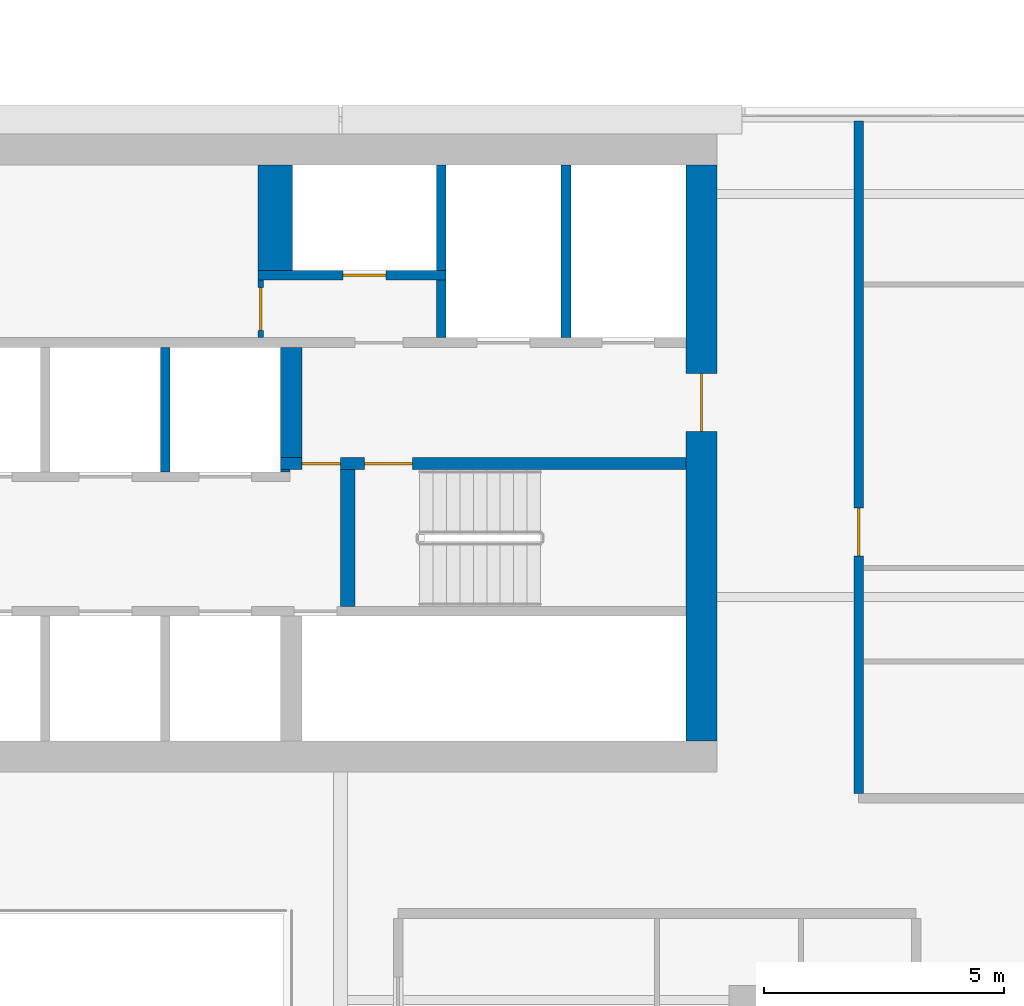
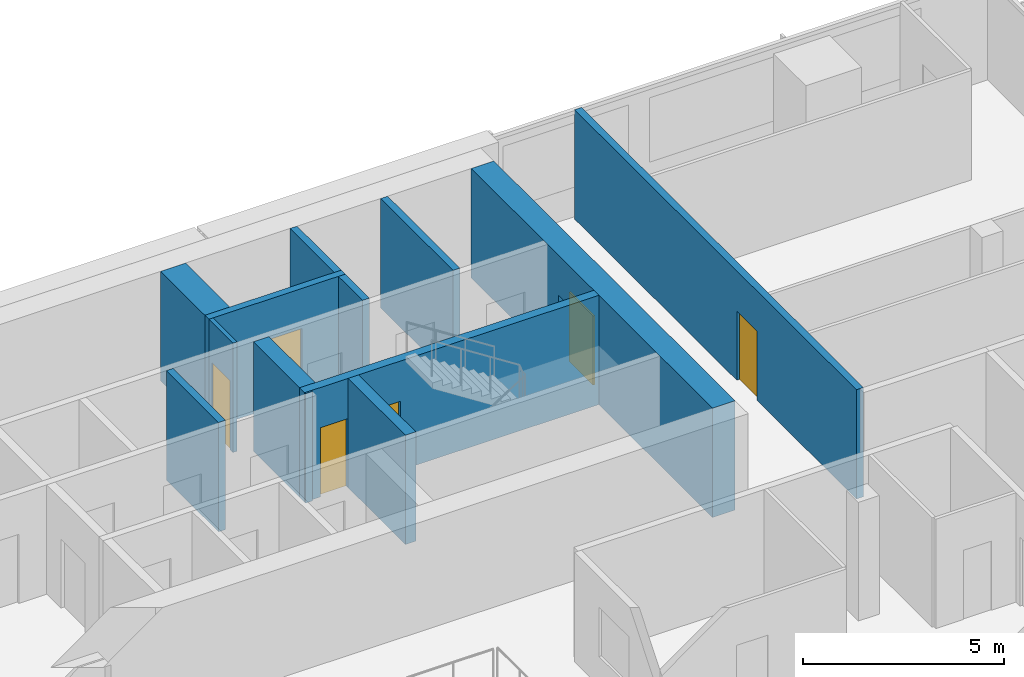
# One storey, part 23 of 30: 13 walls, 6 doors, 6 openings.
"""IFC4 building model written with IfcOpenShell, lengths in metres."""

from ifc_helpers import new_model, si_unit, direction, frame, frame_2d, origin, place, context, subcontext, project, spatial, rectangle, extrude, material, layer, layer_set, type_object, element, fill, save


model = new_model("IFC4")

# Units and contexts
model_context = context("Model", 3, precision=1e-05, world=origin(), true_north=direction((0.0, 1.0)))
body_context = subcontext(model_context, "Body", "Model", "MODEL_VIEW")
ifc_project = project(units=[si_unit("LENGTHUNIT", "METRE"), si_unit("AREAUNIT", "SQUARE_METRE"), si_unit("VOLUMEUNIT", "CUBIC_METRE"), si_unit("PLANEANGLEUNIT", "RADIAN"), si_unit("MASSUNIT", "GRAM", prefix="KILO")], contexts=[model_context])

# Site, building, storey
site_placement = place(None, origin())
site = spatial("IfcSite", under=ifc_project, at=site_placement, CompositionType="ELEMENT")
building_placement = place(site_placement, origin())
building = spatial("IfcBuilding", under=site, at=building_placement, Name="Saffron Gate Tower", CompositionType="ELEMENT")
storey_placement = place(building_placement, frame((0.0, 0.0, 237.89990234375)))
storey = spatial("IfcBuildingStorey", under=building, at=storey_placement, Name="L58", CompositionType="ELEMENT", Elevation=237.89990234375)

# Wall, openings, doors
ifc_material_1 = material(Name="Concrete C60", Category="concrete")
ifc_layer_1 = layer(ifc_material_1, 0.25)
ifc_layer_set_1 = layer_set([ifc_layer_1], Name="CW14 RC core wall 250 C60")
wall_type_1 = type_object("IfcWallType", Name="CW14 RC core wall 250 C60", PredefinedType="SOLIDWALL", material=ifc_layer_set_1)
wall_1_placement = place(storey_placement, frame((98.949951171875, 68.175048828125, 0.0), z_axis=(0.0, 0.0, 1.0), x_axis=(1.0, 0.0, 0.0)))
wall_1 = element("IfcWall", 1, at=wall_1_placement, inside=storey, type_object=wall_type_1, Name="Wall CW14-L58-30", PredefinedType="SOLIDWALL", context=body_context, shape_type="SweptSolid", body=[
    extrude(rectangle(XDim=8.449951171875, YDim=0.25, at=frame_2d((4.22509765625, 0.0))), origin(), (0.0, 0.0, 1.0), 3.320068359375),
])
opening_1_placement = place(wall_1_placement, frame((0.449951171875, 0.0, 0.0)))
opening_1 = element("IfcOpeningElement", 2, at=opening_1_placement, cuts=wall_1, Name="Opening CR-05", PredefinedType="OPENING", context=body_context, shape_type="SweptSolid", body=[
    extrude(rectangle(XDim=0.800048828125, YDim=2.10009765625, at=frame_2d((0.39990234375, 1.050048828125))), frame((0.0, 0.135009765625, 0.0), z_axis=(0.0, -1.0, 0.0), x_axis=(1.0, 0.0, 0.0)), (0.0, 0.0, 1.0), 0.27001953125),
])
opening_2_placement = place(wall_1_placement, frame((1.75, 0.0, 0.0)))
opening_2 = element("IfcOpeningElement", 3, at=opening_2_placement, cuts=wall_1, Name="Opening CR-16", PredefinedType="OPENING", context=body_context, shape_type="SweptSolid", body=[
    extrude(rectangle(XDim=1.0, YDim=2.10009765625, at=frame_2d((0.5, 1.050048828125))), frame((0.0, 0.135009765625, 0.0), z_axis=(0.0, -1.0, 0.0), x_axis=(1.0, 0.0, 0.0)), (0.0, 0.0, 1.0), 0.27001953125),
])
ifc_material_2 = material(Name="Steel fire door set", Category="steel")
door_type_1 = type_object("IfcDoorType", Name="CD5 Stair door 1000x2100 EI 120", OperationType="NOTDEFINED", PredefinedType="DOOR", material=ifc_material_2)
door_1_placement = place(opening_2_placement, origin())
door_1 = element("IfcDoor", 4, at=door_1_placement, inside=storey, type_object=door_type_1, Name="DOOR CR-16", OperationType="SINGLE_SWING_RIGHT", OverallHeight=2.10009765625, OverallWidth=1.0, PredefinedType="DOOR", context=body_context, shape_type="SweptSolid", body=[
    extrude(rectangle(XDim=1.0, YDim=2.10009765625, at=frame_2d((0.5, 1.050048828125))), frame((0.0, 0.02490234375, 0.0), z_axis=(0.0, -1.0, 0.0), x_axis=(1.0, 0.0, 0.0)), (0.0, 0.0, 1.0), 0.050048828125),
])
fill(opening_2, door_1)
door_type_2 = type_object("IfcDoorType", Name="CD6 Lobby door 800x2100 EI 120", OperationType="NOTDEFINED", PredefinedType="DOOR", material=ifc_material_2)
door_2_placement = place(opening_1_placement, origin())
door_2 = element("IfcDoor", 5, at=door_2_placement, inside=storey, type_object=door_type_2, Name="DOOR CR-05", OperationType="SINGLE_SWING_LEFT", OverallHeight=2.10009765625, OverallWidth=0.800048828125, PredefinedType="DOOR", context=body_context, shape_type="SweptSolid", body=[
    extrude(rectangle(XDim=0.800048828125, YDim=2.10009765625, at=frame_2d((0.39990234375, 1.050048828125))), frame((0.0, 0.02490234375, 0.0), z_axis=(0.0, -1.0, 0.0), x_axis=(1.0, 0.0, 0.0)), (0.0, 0.0, 1.0), 0.050048828125),
])
fill(opening_1, door_2)

# Walls
ifc_layer_2 = layer(ifc_material_1, 0.199951171875)
ifc_layer_set_2 = layer_set([ifc_layer_2], Name="CW15 RC core wall 200 C60")
wall_type_2 = type_object("IfcWallType", Name="CW15 RC core wall 200 C60", PredefinedType="SOLIDWALL", material=ifc_layer_set_2)
wall_2_placement = place(storey_placement, frame((96.550048828125, 68.0, 0.0), z_axis=(0.0, 0.0, 1.0), x_axis=(0.0, 1.0, 0.0)))
element("IfcWall", 6, at=wall_2_placement, inside=storey, type_object=wall_type_2, Name="Wall CW15-L58-27", PredefinedType="SOLIDWALL", context=body_context, shape_type="SweptSolid", body=[
    extrude(rectangle(XDim=2.60009765625, YDim=0.199951171875, at=frame_2d((1.300048828125, 0.0))), origin(), (0.0, 0.0, 1.0), 3.320068359375),
])
wall_3_placement = place(storey_placement, frame((102.300048828125, 70.800048828125, 0.0), z_axis=(0.0, 0.0, 1.0), x_axis=(0.0, 1.0, 0.0)))
element("IfcWall", 7, at=wall_3_placement, inside=storey, type_object=wall_type_2, Name="Wall CW15-L58-40", PredefinedType="SOLIDWALL", context=body_context, shape_type="SweptSolid", body=[
    extrude(rectangle(XDim=1.199951171875, YDim=0.199951171875, at=frame_2d((0.60009765625, 0.0))), origin(), (0.0, 0.0, 1.0), 3.320068359375),
])
wall_4_placement = place(storey_placement, frame((104.89990234375, 70.800048828125, 0.0), z_axis=(0.0, 0.0, 1.0), x_axis=(0.0, 1.0, 0.0)))
element("IfcWall", 8, at=wall_4_placement, inside=storey, type_object=wall_type_2, Name="Wall CW15-L58-41", PredefinedType="SOLIDWALL", context=body_context, shape_type="SweptSolid", body=[
    extrude(rectangle(XDim=3.599853515625, YDim=0.199951171875, at=frame_2d((1.7998046875, 0.0))), origin(), (0.0, 0.0, 1.0), 3.320068359375),
])

# Wall, opening, door
wall_5_placement = place(storey_placement, frame((98.47998046875, 72.10009765625, 0.0), z_axis=(0.0, 0.0, 1.0), x_axis=(1.0, 0.0, 0.0)))
wall_5 = element("IfcWall", 9, at=wall_5_placement, inside=storey, type_object=wall_type_2, Name="Wall CW15-L58-43", PredefinedType="SOLIDWALL", context=body_context, shape_type="SweptSolid", body=[
    extrude(rectangle(XDim=3.919921875, YDim=0.199951171875, at=frame_2d((1.9599609375, 0.0))), origin(), (0.0, 0.0, 1.0), 3.320068359375),
])
opening_3_placement = place(wall_5_placement, frame((1.77001953125, 0.0, 0.0)))
opening_3 = element("IfcOpeningElement", 10, at=opening_3_placement, cuts=wall_5, Name="Opening CR-70", PredefinedType="OPENING", context=body_context, shape_type="SweptSolid", body=[
    extrude(rectangle(XDim=0.89990234375, YDim=2.10009765625, at=frame_2d((0.449951171875, 1.050048828125))), frame((0.0, 0.10986328125, 0.0), z_axis=(0.0, -1.0, 0.0), x_axis=(1.0, 0.0, 0.0)), (0.0, 0.0, 1.0), 0.219970703125),
])
door_type_3 = type_object("IfcDoorType", Name="CD2 Riser door 900x2100 EI 60", OperationType="NOTDEFINED", PredefinedType="DOOR", material=ifc_material_2)
door_3_placement = place(opening_3_placement, origin())
door_3 = element("IfcDoor", 11, at=door_3_placement, inside=storey, type_object=door_type_3, Name="DOOR CR-70", OperationType="SINGLE_SWING_LEFT", OverallHeight=2.10009765625, OverallWidth=0.89990234375, PredefinedType="DOOR", context=body_context, shape_type="SweptSolid", body=[
    extrude(rectangle(XDim=0.89990234375, YDim=2.10009765625, at=frame_2d((0.449951171875, 1.050048828125))), frame((0.0, 0.02490234375, 0.0), z_axis=(0.0, -1.0, 0.0), x_axis=(1.0, 0.0, 0.0)), (0.0, 0.0, 1.0), 0.050048828125),
])
fill(opening_3, door_3)

# Walls
wall_6_placement = place(storey_placement, frame((102.300048828125, 72.199951171875, 0.0), z_axis=(0.0, 0.0, 1.0), x_axis=(0.0, 1.0, 0.0)))
element("IfcWall", 12, at=wall_6_placement, inside=storey, type_object=wall_type_2, Name="Wall CW15-L58-48", PredefinedType="SOLIDWALL", context=body_context, shape_type="SweptSolid", body=[
    extrude(rectangle(XDim=2.199951171875, YDim=0.199951171875, at=frame_2d((1.10009765625, 0.0))), origin(), (0.0, 0.0, 1.0), 3.320068359375),
])
ifc_layer_3 = layer(ifc_material_1, 0.449951171875)
ifc_layer_set_3 = layer_set([ifc_layer_3], Name="CW16 RC core wall 450 C60")
wall_type_3 = type_object("IfcWallType", Name="CW16 RC core wall 450 C60", PredefinedType="SOLIDWALL", material=ifc_layer_set_3)
wall_7_placement = place(storey_placement, frame((99.175048828125, 68.300048828125, 0.0), z_axis=(0.0, 0.0, 1.0), x_axis=(0.0, 1.0, 0.0)))
element("IfcWall", 13, at=wall_7_placement, inside=storey, type_object=wall_type_3, Name="Wall CW16-L58-32", PredefinedType="SOLIDWALL", context=body_context, shape_type="SweptSolid", body=[
    extrude(rectangle(XDim=2.300048828125, YDim=0.449951171875, at=frame_2d((1.14990234375, 0.0))), origin(), (0.0, 0.0, 1.0), 3.320068359375),
])
ifc_layer_4 = layer(ifc_material_1, 0.300048828125)
ifc_layer_set_4 = layer_set([ifc_layer_4], Name="CW17 RC core wall 300 C60")
wall_type_4 = type_object("IfcWallType", Name="CW17 RC core wall 300 C60", PredefinedType="SOLIDWALL", material=ifc_layer_set_4)
wall_8_placement = place(storey_placement, frame((100.35009765625, 65.199951171875, 0.0), z_axis=(0.0, 0.0, 1.0), x_axis=(0.0, 1.0, 0.0)))
element("IfcWall", 14, at=wall_8_placement, inside=storey, type_object=wall_type_4, Name="Wall CW17-L58-18", PredefinedType="SOLIDWALL", context=body_context, shape_type="SweptSolid", body=[
    extrude(rectangle(XDim=2.85009765625, YDim=0.300048828125, at=frame_2d((1.425048828125, 0.0))), origin(), (0.0, 0.0, 1.0), 3.320068359375),
])
ifc_layer_5 = layer(ifc_material_1, 0.050048828125)
ifc_layer_set_5 = layer_set([ifc_layer_5], Name="CW18 RC core wall 50 C60")
wall_type_5 = type_object("IfcWallType", Name="CW18 RC core wall 50 C60", PredefinedType="SOLIDWALL", material=ifc_layer_set_5)
wall_9_placement = place(storey_placement, frame((98.949951171875, 68.02490234375, 0.0), z_axis=(0.0, 0.0, 1.0), x_axis=(1.0, 0.0, 0.0)))
element("IfcWall", 15, at=wall_9_placement, inside=storey, type_object=wall_type_5, Name="Wall CW18-L58-28", PredefinedType="SOLIDWALL", context=body_context, shape_type="SweptSolid", body=[
    extrude(rectangle(XDim=0.199951171875, YDim=0.050048828125, at=frame_2d((0.10009765625, 0.0))), origin(), (0.0, 0.0, 1.0), 3.320068359375),
])

# Wall, opening, door
ifc_layer_6 = layer(ifc_material_1, 0.64990234375)
ifc_layer_set_6 = layer_set([ifc_layer_6], Name="CW20 RC core wall 650 C60")
wall_type_6 = type_object("IfcWallType", Name="CW20 RC core wall 650 C60", PredefinedType="SOLIDWALL", material=ifc_layer_set_6)
wall_10_placement = place(storey_placement, frame((107.72509765625, 62.39990234375, 0.0), z_axis=(0.0, 0.0, 1.0), x_axis=(0.0, 1.0, 0.0)))
wall_10 = element("IfcWall", 16, at=wall_10_placement, inside=storey, type_object=wall_type_6, Name="Wall CW20-L58-4", PredefinedType="SOLIDWALL", context=body_context, shape_type="SweptSolid", body=[
    extrude(rectangle(XDim=12.0, YDim=0.64990234375, at=frame_2d((6.0, 0.0))), origin(), (0.0, 0.0, 1.0), 3.320068359375),
])
opening_4_placement = place(wall_10_placement, frame((6.449951171875, 0.0, 0.0)))
opening_4 = element("IfcOpeningElement", 17, at=opening_4_placement, cuts=wall_10, Name="Opening CR-08", PredefinedType="OPENING", context=body_context, shape_type="SweptSolid", body=[
    extrude(rectangle(XDim=1.199951171875, YDim=2.10009765625, at=frame_2d((0.60009765625, 1.050048828125))), frame((0.0, 0.3349609375, 0.0), z_axis=(0.0, -1.0, 0.0), x_axis=(1.0, 0.0, 0.0)), (0.0, 0.0, 1.0), 0.669921875),
])
door_type_4 = type_object("IfcDoorType", Name="CD7 Core entrance door 1200x2100 EI 120", OperationType="NOTDEFINED", PredefinedType="DOOR", material=ifc_material_2)
door_4_placement = place(opening_4_placement, origin())
door_4 = element("IfcDoor", 18, at=door_4_placement, inside=storey, type_object=door_type_4, Name="DOOR CR-08", OperationType="SINGLE_SWING_RIGHT", OverallHeight=2.10009765625, OverallWidth=1.199951171875, PredefinedType="DOOR", context=body_context, shape_type="SweptSolid", body=[
    extrude(rectangle(XDim=1.199951171875, YDim=2.10009765625, at=frame_2d((0.60009765625, 1.050048828125))), frame((0.0, 0.02490234375, 0.0), z_axis=(0.0, -1.0, 0.0), x_axis=(1.0, 0.0, 0.0)), (0.0, 0.0, 1.0), 0.050048828125),
])
fill(opening_4, door_4)

# Wall
ifc_layer_7 = layer(ifc_material_1, 0.719970703125)
ifc_layer_set_7 = layer_set([ifc_layer_7], Name="CW21 RC core wall 720 C60")
wall_type_7 = type_object("IfcWallType", Name="CW21 RC core wall 720 C60", PredefinedType="SOLIDWALL", material=ifc_layer_set_7)
wall_11_placement = place(storey_placement, frame((98.840087890625, 72.199951171875, 0.0), z_axis=(0.0, 0.0, 1.0), x_axis=(0.0, 1.0, 0.0)))
element("IfcWall", 19, at=wall_11_placement, inside=storey, type_object=wall_type_7, Name="Wall CW21-L58-47", PredefinedType="SOLIDWALL", context=body_context, shape_type="SweptSolid", body=[
    extrude(rectangle(XDim=2.199951171875, YDim=0.719970703125, at=frame_2d((1.10009765625, 0.0))), origin(), (0.0, 0.0, 1.0), 3.320068359375),
])

# Wall, opening, door
ifc_material_3 = material(Name="Gypsum board partition on steel studs", Category="steel")
ifc_layer_8 = layer(ifc_material_3, 0.1201171875)
ifc_layer_set_8 = layer_set([ifc_layer_8], Name="CW8 Core partition 120")
wall_type_8 = type_object("IfcWallType", Name="CW8 Core partition 120", PredefinedType="PARTITIONING", material=ifc_layer_set_8)
wall_12_placement = place(storey_placement, frame((98.5400390625, 70.800048828125, 0.0), z_axis=(0.0, 0.0, 1.0), x_axis=(0.0, 1.0, 0.0)))
wall_12 = element("IfcWall", 20, at=wall_12_placement, inside=storey, type_object=wall_type_8, Name="Wall CW8-L58-39", PredefinedType="PARTITIONING", context=body_context, shape_type="SweptSolid", body=[
    extrude(rectangle(XDim=1.199951171875, YDim=0.1201171875, at=frame_2d((0.60009765625, 0.0))), origin(), (0.0, 0.0, 1.0), 3.320068359375),
])
opening_5_placement = place(wall_12_placement, frame((0.14990234375, 0.0, 0.0)))
opening_5 = element("IfcOpeningElement", 21, at=opening_5_placement, cuts=wall_12, Name="Opening CR-54", PredefinedType="OPENING", context=body_context, shape_type="SweptSolid", body=[
    extrude(rectangle(XDim=0.89990234375, YDim=2.10009765625, at=frame_2d((0.449951171875, 1.050048828125))), frame((0.0, 0.070068359375, 0.0), z_axis=(0.0, -1.0, 0.0), x_axis=(1.0, 0.0, 0.0)), (0.0, 0.0, 1.0), 0.14013671875),
])
door_type_5 = type_object("IfcDoorType", Name="CD9 Room door 900x2100 EI 60", OperationType="NOTDEFINED", PredefinedType="DOOR", material=ifc_material_2)
door_5_placement = place(opening_5_placement, origin())
door_5 = element("IfcDoor", 22, at=door_5_placement, inside=storey, type_object=door_type_5, Name="DOOR CR-54", OperationType="SINGLE_SWING_LEFT", OverallHeight=2.10009765625, OverallWidth=0.89990234375, PredefinedType="DOOR", context=body_context, shape_type="SweptSolid", body=[
    extrude(rectangle(XDim=0.89990234375, YDim=2.10009765625, at=frame_2d((0.449951171875, 1.050048828125))), frame((0.0, 0.02490234375, 0.0), z_axis=(0.0, -1.0, 0.0), x_axis=(1.0, 0.0, 0.0)), (0.0, 0.0, 1.0), 0.050048828125),
])
fill(opening_5, door_5)

ifc_material_4 = material(Name="Clay brick masonry, rendered", Category="masonry")
ifc_layer_9 = layer(ifc_material_4, 0.199951171875)
ifc_layer_set_9 = layer_set([ifc_layer_9], Name="PW3 Corridor wall 200")
wall_type_9 = type_object("IfcWallType", Name="PW3 Corridor wall 200", PredefinedType="PARTITIONING", material=ifc_layer_set_9)
wall_13_placement = place(storey_placement, frame((111.0, 75.320068359375, 0.0), z_axis=(0.0, 0.0, 1.0), x_axis=(0.0, -1.0, 0.0)))
wall_13 = element("IfcWall", 23, at=wall_13_placement, inside=storey, type_object=wall_type_9, Name="Wall D4-102", PredefinedType="PARTITIONING", context=body_context, shape_type="SweptSolid", body=[
    extrude(rectangle(XDim=14.02001953125, YDim=0.199951171875, at=frame_2d((7.010009765625, 0.0))), origin(), (0.0, 0.0, 1.0), 3.320068359375),
])
opening_6_placement = place(wall_13_placement, frame((8.070068359375, 0.0, 0.0)))
opening_6 = element("IfcOpeningElement", 24, at=opening_6_placement, cuts=wall_13, Name="Opening D4-7", PredefinedType="OPENING", context=body_context, shape_type="SweptSolid", body=[
    extrude(rectangle(XDim=1.0, YDim=2.10009765625, at=frame_2d((0.5, 1.050048828125))), frame((0.0, 0.10986328125, 0.0), z_axis=(0.0, -1.0, 0.0), x_axis=(1.0, 0.0, 0.0)), (0.0, 0.0, 1.0), 0.219970703125),
])
ifc_material_5 = material(Name="Timber fire door set", Category="wood")
door_type_6 = type_object("IfcDoorType", Name="FD1 Flat entry door 1000x2100", OperationType="NOTDEFINED", PredefinedType="DOOR", material=ifc_material_5)
door_6_placement = place(opening_6_placement, origin())
door_6 = element("IfcDoor", 25, at=door_6_placement, inside=storey, type_object=door_type_6, Name="Door D4-7", OperationType="SINGLE_SWING_RIGHT", OverallHeight=2.10009765625, OverallWidth=1.0, PredefinedType="DOOR", context=body_context, shape_type="SweptSolid", body=[
    extrude(rectangle(XDim=1.0, YDim=2.10009765625, at=frame_2d((0.5, 1.050048828125))), frame((0.0, 0.02490234375, 0.0), z_axis=(0.0, -1.0, 0.0), x_axis=(1.0, 0.0, 0.0)), (0.0, 0.0, 1.0), 0.050048828125),
])
fill(opening_6, door_6)

save(model, "model.ifc")
